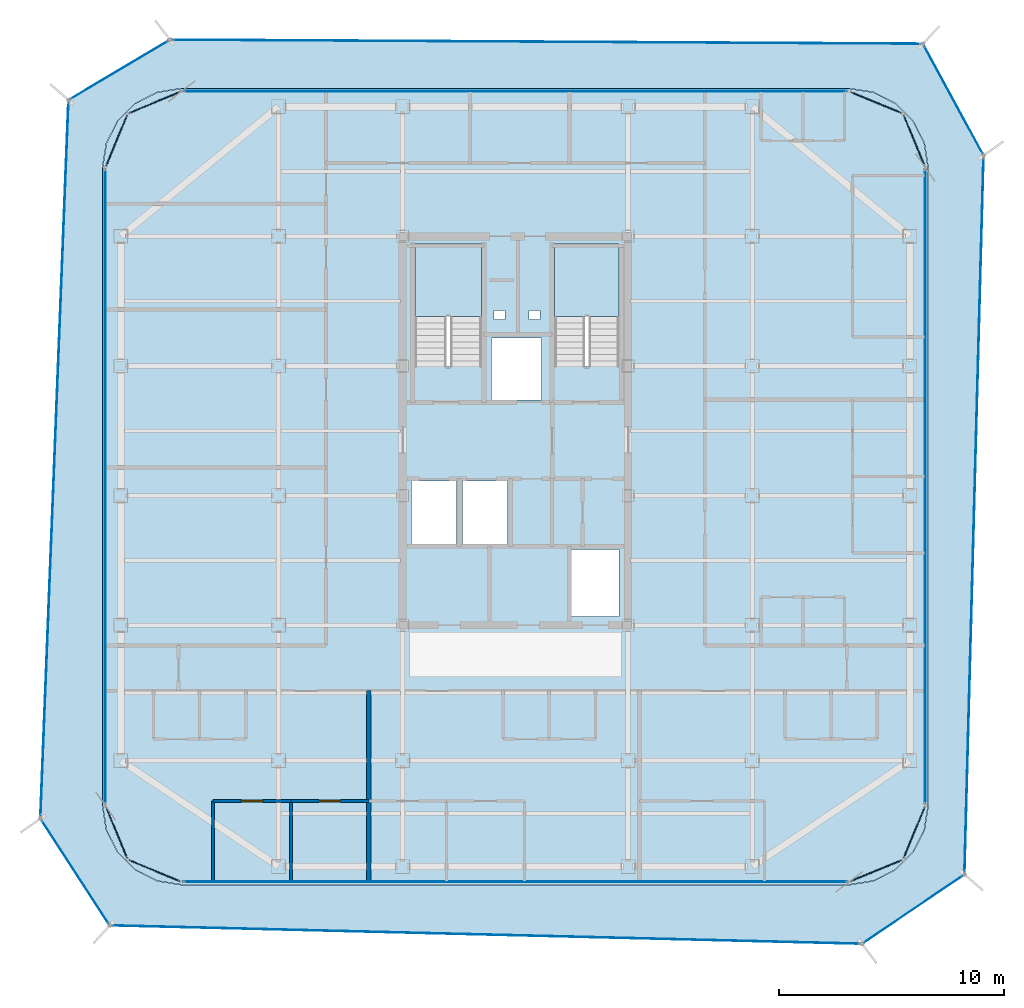
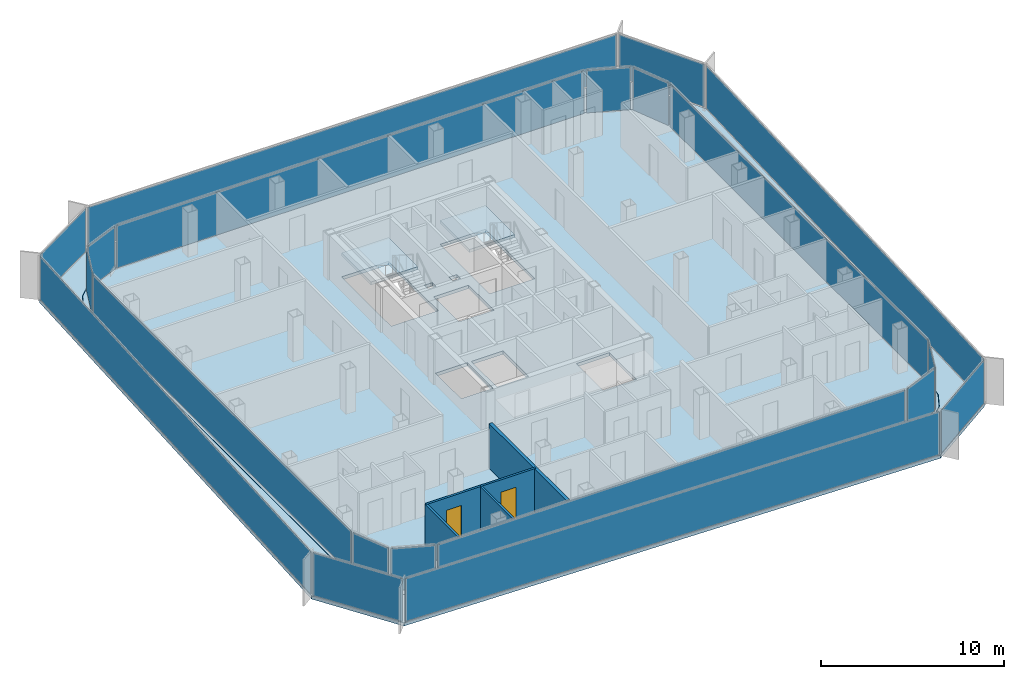
# One storey, part 9 of 15: 20 plates, 5 walls, 4 slabs, 2 doors, 2 openings, 22 elements without a shape of their own.
"""IFC4 building model written with IfcOpenShell, lengths in metres."""

from ifc_helpers import new_model, si_unit, direction, frame, frame_2d, origin, origin_2d, place, context, subcontext, project, spatial, polyline, rectangle, outline, extrude, source, transform, mapped, material, layer, layer_set, type_object, element, fill, aggregate, save


model = new_model("IFC4")

# Units and contexts
model_context = context("Model", 3, precision=1e-05, world=origin(), true_north=direction((0.0, 1.0)))
body_context = subcontext(model_context, "Body", "Model", "MODEL_VIEW")
ifc_project = project(units=[si_unit("LENGTHUNIT", "METRE"), si_unit("AREAUNIT", "SQUARE_METRE"), si_unit("VOLUMEUNIT", "CUBIC_METRE"), si_unit("PLANEANGLEUNIT", "RADIAN"), si_unit("MASSUNIT", "GRAM", prefix="KILO")], contexts=[model_context])

# Site, building, storey
site_placement = place(None, origin())
site = spatial("IfcSite", under=ifc_project, at=site_placement, CompositionType="ELEMENT")
building_placement = place(site_placement, origin())
building = spatial("IfcBuilding", under=site, at=building_placement, Name="Kolveth Station Tower", CompositionType="ELEMENT")
storey_placement = place(building_placement, frame((0.0, 0.0, 252.10009765625)))
storey = spatial("IfcBuildingStorey", under=building, at=storey_placement, Name="L72", CompositionType="ELEMENT", Elevation=252.10009765625)

# Slab
ifc_material_1 = material(Name="Concrete C40/50", Category="concrete")
ifc_layer_1 = layer(ifc_material_1, 0.219970703125)
ifc_layer_set_1 = layer_set([ifc_layer_1], Name="Concrete C40/50")
slab_type_1 = type_object("IfcSlabType", Name="Slab_SF-220", PredefinedType="FLOOR", material=ifc_layer_set_1)
slab_1_placement = place(storey_placement, frame((0.0, 0.0, -0.22021484375)))
element("IfcSlab", 1, at=slab_1_placement, inside=storey, type_object=slab_type_1, Name="L72 Tower Structural Floor Slab", PredefinedType="FLOOR", context=body_context, shape_type="SweptSolid", body=[
    extrude(outline(polyline([(38.300048828125, 0.0), (39.381591796875, 0.17138671875), (40.357177734375, 0.66845703125), (41.131591796875, 1.44287109375), (41.628662109375, 2.41845703125), (41.800048828125, 3.5), (41.800048828125, 31.800048828125), (41.628662109375, 32.881591796875), (41.131591796875, 33.857177734375), (40.357177734375, 34.631591796875), (39.381591796875, 35.128662109375), (38.300048828125, 35.300048828125), (8.699951171875, 35.300048828125), (7.618408203125, 35.128662109375), (6.642822265625, 34.631591796875), (5.868408203125, 33.857177734375), (5.371337890625, 32.881591796875), (5.199951171875, 31.800048828125), (5.199951171875, 3.5), (5.371337890625, 2.41845703125), (5.868408203125, 1.44287109375), (6.642822265625, 0.66845703125), (7.618408203125, 0.17138671875), (8.699951171875, 0.0), (38.300048828125, 0.0)]), holes=[polyline([(19.0400390625, 22.985107421875), (22.0, 22.985107421875), (22.0, 28.39990234375), (19.0400390625, 28.39990234375), (19.0400390625, 22.985107421875)]), polyline([(25.239990234375, 22.985107421875), (28.10009765625, 22.985107421875), (28.10009765625, 28.39990234375), (25.239990234375, 28.39990234375), (25.239990234375, 22.985107421875)]), polyline([(18.89990234375, 15.10009765625), (20.89990234375, 15.10009765625), (20.89990234375, 17.89990234375), (18.89990234375, 17.89990234375), (18.89990234375, 15.10009765625)]), polyline([(21.14990234375, 15.10009765625), (23.14990234375, 15.10009765625), (23.14990234375, 17.89990234375), (21.14990234375, 17.89990234375), (21.14990234375, 15.10009765625)]), polyline([(22.449951171875, 21.5), (24.64990234375, 21.5), (24.64990234375, 24.25), (22.449951171875, 24.25), (22.449951171875, 21.5)]), polyline([(26.0, 11.89990234375), (28.10009765625, 11.89990234375), (28.10009765625, 14.85009765625), (26.0, 14.85009765625), (26.0, 11.89990234375)]), polyline([(22.550048828125, 25.050048828125), (23.050048828125, 25.050048828125), (23.050048828125, 25.449951171875), (22.550048828125, 25.449951171875), (22.550048828125, 25.050048828125)]), polyline([(24.10009765625, 25.050048828125), (24.60009765625, 25.050048828125), (24.60009765625, 25.449951171875), (24.10009765625, 25.449951171875), (24.10009765625, 25.050048828125)])]), origin(), (0.0, 0.0, 1.0), 0.22021484375),
])

# Stair, slab
stair_type_1 = type_object("IfcStairType", Name="Stair_ST2", PredefinedType="HALF_TURN_STAIR", material=ifc_material_1)
stair_1_placement = place(storey_placement, origin())
stair_1 = element("IfcStair", 2, at=stair_1_placement, inside=storey, type_object=stair_type_1, Name="L72 Tower Exit Stair ST2", PredefinedType="HALF_TURN_STAIR")
ifc_layer_2 = layer(ifc_material_1, 0.18994140625)
ifc_layer_set_2 = layer_set([ifc_layer_2], Name="Concrete C40/50")
slab_type_2 = type_object("IfcSlabType", Name="Slab_SL-190", PredefinedType="LANDING", material=ifc_layer_set_2)
slab_2_placement = place(storey_placement, frame((0.0, 0.0, 1.39990234375)))
slab_2 = element("IfcSlab", 3, at=slab_2_placement, type_object=slab_type_2, Name="ST2 landing 1", PredefinedType="LANDING", context=body_context, shape_type="SweptSolid", body=[
    extrude(outline(polyline([(28.10009765625, 25.18994140625), (28.10009765625, 28.39990234375), (25.239990234375, 28.39990234375), (25.239990234375, 25.18994140625), (28.10009765625, 25.18994140625)])), origin(), (0.0, 0.0, 1.0), 0.199951171875),
])
aggregate(stair_1, [slab_2])

stair_type_2 = type_object("IfcStairType", Name="Stair_ST1", PredefinedType="HALF_TURN_STAIR", material=ifc_material_1)
stair_2_placement = place(storey_placement, origin())
stair_2 = element("IfcStair", 4, at=stair_2_placement, inside=storey, type_object=stair_type_2, Name="L72 Tower Exit Stair ST1", PredefinedType="HALF_TURN_STAIR")
ifc_layer_3 = layer(ifc_material_1, 0.205078125)
ifc_layer_set_3 = layer_set([ifc_layer_3], Name="Concrete C40/50")
slab_type_3 = type_object("IfcSlabType", Name="Slab_SL-205", PredefinedType="LANDING", material=ifc_layer_set_3)
slab_3_placement = place(storey_placement, frame((0.0, 0.0, 1.39990234375)))
slab_3 = element("IfcSlab", 5, at=slab_3_placement, type_object=slab_type_3, Name="ST1 landing 1", PredefinedType="LANDING", context=body_context, shape_type="SweptSolid", body=[
    extrude(outline(polyline([(22.0, 25.18994140625), (22.0, 28.39990234375), (19.0400390625, 28.39990234375), (19.0400390625, 25.18994140625), (22.0, 25.18994140625)])), origin(), (0.0, 0.0, 1.0), 0.199951171875),
])
aggregate(stair_2, [slab_3])

# Slab
ifc_layer_4 = layer(ifc_material_1, 0.2099609375)
ifc_layer_set_4 = layer_set([ifc_layer_4], Name="Concrete C40/50")
slab_type_4 = type_object("IfcSlabType", Name="Slab_ST-210", PredefinedType="FLOOR", material=ifc_layer_set_4)
slab_4_placement = place(storey_placement, frame((0.0, 0.0, -0.210205078125)))
element("IfcSlab", 6, at=slab_4_placement, inside=storey, type_object=slab_type_4, Name="L72 Double-Skin Cavity Structural Ledger Ring", PredefinedType="FLOOR", context=body_context, shape_type="SweptSolid", body=[
    extrude(outline(polyline([(5.518310546875, -1.8125), (2.438720703125, 2.92724609375), (3.68701171875, 34.792236328125), (8.186767578125, 37.46484375), (41.58056640625, 37.28515625), (44.2666015625, 32.336181640625), (43.419189453125, 0.447021484375), (38.87060546875, -2.628662109375), (5.518310546875, -1.8125)]), holes=[polyline([(38.30224609375, -0.014892578125), (39.3837890625, 0.156494140625), (39.388427734375, 0.157958984375), (40.364013671875, 0.655029296875), (40.367919921875, 0.65771484375), (41.14208984375, 1.43212890625), (41.14501953125, 1.43603515625), (41.64208984375, 2.41162109375), (41.6435546875, 2.416015625), (41.814697265625, 3.497802734375), (41.81494140625, 3.5), (41.81494140625, 31.800048828125), (41.814697265625, 31.80224609375), (41.6435546875, 32.8837890625), (41.64208984375, 32.888427734375), (41.14501953125, 33.864013671875), (41.14208984375, 33.867919921875), (40.367919921875, 34.64208984375), (40.364013671875, 34.64501953125), (39.388427734375, 35.14208984375), (39.3837890625, 35.1435546875), (38.30224609375, 35.314697265625), (38.300048828125, 35.31494140625), (8.699951171875, 35.31494140625), (8.69775390625, 35.314697265625), (7.6162109375, 35.1435546875), (7.611572265625, 35.14208984375), (6.635986328125, 34.64501953125), (6.632080078125, 34.64208984375), (5.85791015625, 33.867919921875), (5.85498046875, 33.864013671875), (5.35791015625, 32.888427734375), (5.3564453125, 32.8837890625), (5.185302734375, 31.80224609375), (5.18505859375, 31.800048828125), (5.18505859375, 3.5), (5.185302734375, 3.497802734375), (5.3564453125, 2.416015625), (5.35791015625, 2.41162109375), (5.85498046875, 1.43603515625), (5.85791015625, 1.43212890625), (6.632080078125, 0.65771484375), (6.635986328125, 0.655029296875), (7.611572265625, 0.157958984375), (7.6162109375, 0.156494140625), (8.69775390625, -0.014892578125), (8.699951171875, -0.014892578125), (38.300048828125, -0.014892578125), (38.30224609375, -0.014892578125)])]), origin(), (0.0, 0.0, 1.0), 0.210205078125),
])

# Curtain wall, plate
ifc_material_2 = material(Name="Aluminium 6063-T6 and triple low-E dark glass", Category="aluminium")
ifc_layer_5 = layer(ifc_material_2, 0.199951171875)
ifc_layer_set_5 = layer_set([ifc_layer_5], Name="Aluminium 6063-T6 and triple low-E dark glass")
curtain_wall_type_1 = type_object("IfcCurtainWallType", Name="CurtainWall_CW-Z3", PredefinedType="NOTDEFINED", material=ifc_layer_set_5)
curtain_wall_1_placement = place(storey_placement, origin())
curtain_wall_1 = element("IfcCurtainWall", 7, at=curtain_wall_1_placement, inside=storey, type_object=curtain_wall_type_1, Name="L72 Inner Thermal Curtain Wall 1", PredefinedType="NOTDEFINED")
ifc_material_3 = material(Name="Architectural low-E dark glass", Category="glass")
ifc_layer_6 = layer(ifc_material_3, 0.0419921875)
ifc_layer_set_6 = layer_set([ifc_layer_6], Name="Architectural low-E dark glass")
plate_type_1 = type_object("IfcPlateType", Name="Panel_GL3", PredefinedType="CURTAIN_PANEL", material=ifc_layer_set_6)
shared_shape_1 = source(origin(), body_context, "Body", "SweptSolid", [
    extrude(rectangle(XDim=2.430908203125, YDim=0.0419921875, at=origin_2d()), origin(), (0.0, 0.0, 1.0), 2.823974609375),
])
plate_1_placement = place(storey_placement, frame((39.4951171875, 0.614990234375, 0.078125), z_axis=(0.0, 0.0, 1.0), x_axis=(0.923875488975, 0.382693194181, 0.0)))
plate_1 = element("IfcPlate", 8, at=plate_1_placement, type_object=plate_type_1, Name="CW-Z3 panel 1.1", PredefinedType="CURTAIN_PANEL", context=body_context, shape_type="MappedRepresentation", body=[
    mapped(shared_shape_1, transform((0.0, 0.0, 0.0), x_axis=(1.0, 0.0, 0.0), y_axis=(0.0, 1.0, 0.0), z_axis=(0.0, 0.0, 1.0), scale=1.0)),
])
aggregate(curtain_wall_1, [plate_1])

curtain_wall_2_placement = place(storey_placement, origin())
curtain_wall_2 = element("IfcCurtainWall", 9, at=curtain_wall_2_placement, inside=storey, type_object=curtain_wall_type_1, Name="L72 Inner Thermal Curtain Wall 2", PredefinedType="NOTDEFINED")
plate_2_placement = place(storey_placement, frame((41.18505859375, 2.304931640625, 0.078125), z_axis=(0.0, 0.0, 1.0), x_axis=(0.382693194181, 0.923875488975, 0.0)))
plate_2 = element("IfcPlate", 10, at=plate_2_placement, type_object=plate_type_1, Name="CW-Z3 panel 1.1", PredefinedType="CURTAIN_PANEL", context=body_context, shape_type="MappedRepresentation", body=[
    mapped(shared_shape_1, transform((0.0, 0.0, 0.0), x_axis=(1.0, 0.0, 0.0), y_axis=(0.0, 1.0, 0.0), z_axis=(0.0, 0.0, 1.0), scale=1.0)),
])
aggregate(curtain_wall_2, [plate_2])

curtain_wall_3_placement = place(storey_placement, origin())
curtain_wall_3 = element("IfcCurtainWall", 11, at=curtain_wall_3_placement, inside=storey, type_object=curtain_wall_type_1, Name="L72 Inner Thermal Curtain Wall 4", PredefinedType="NOTDEFINED")
plate_3_placement = place(storey_placement, frame((41.18505859375, 32.9951171875, 0.078125), z_axis=(0.0, 0.0, 1.0), x_axis=(-0.382693194181, 0.923875488975, 0.0)))
plate_3 = element("IfcPlate", 12, at=plate_3_placement, type_object=plate_type_1, Name="CW-Z3 panel 1.1", PredefinedType="CURTAIN_PANEL", context=body_context, shape_type="MappedRepresentation", body=[
    mapped(shared_shape_1, transform((0.0, 0.0, 0.0), x_axis=(1.0, 0.0, 0.0), y_axis=(0.0, 1.0, 0.0), z_axis=(0.0, 0.0, 1.0), scale=1.0)),
])
aggregate(curtain_wall_3, [plate_3])

curtain_wall_4_placement = place(storey_placement, origin())
curtain_wall_4 = element("IfcCurtainWall", 13, at=curtain_wall_4_placement, inside=storey, type_object=curtain_wall_type_1, Name="L72 Inner Thermal Curtain Wall 5", PredefinedType="NOTDEFINED")
plate_4_placement = place(storey_placement, frame((39.4951171875, 34.68505859375, 0.078125), z_axis=(0.0, 0.0, 1.0), x_axis=(-0.923875488975, 0.382693194181, 0.0)))
plate_4 = element("IfcPlate", 14, at=plate_4_placement, type_object=plate_type_1, Name="CW-Z3 panel 1.1", PredefinedType="CURTAIN_PANEL", context=body_context, shape_type="MappedRepresentation", body=[
    mapped(shared_shape_1, transform((0.0, 0.0, 0.0), x_axis=(1.0, 0.0, 0.0), y_axis=(0.0, 1.0, 0.0), z_axis=(0.0, 0.0, 1.0), scale=1.0)),
])
aggregate(curtain_wall_4, [plate_4])

curtain_wall_5_placement = place(storey_placement, origin())
curtain_wall_5 = element("IfcCurtainWall", 15, at=curtain_wall_5_placement, inside=storey, type_object=curtain_wall_type_1, Name="L72 Inner Thermal Curtain Wall 7", PredefinedType="NOTDEFINED")
plate_5_placement = place(storey_placement, frame((7.5048828125, 34.68505859375, 0.078125), z_axis=(0.0, 0.0, 1.0), x_axis=(-0.923875488975, -0.382693194181, 0.0)))
plate_5 = element("IfcPlate", 16, at=plate_5_placement, type_object=plate_type_1, Name="CW-Z3 panel 1.1", PredefinedType="CURTAIN_PANEL", context=body_context, shape_type="MappedRepresentation", body=[
    mapped(shared_shape_1, transform((0.0, 0.0, 0.0), x_axis=(1.0, 0.0, 0.0), y_axis=(0.0, 1.0, 0.0), z_axis=(0.0, 0.0, 1.0), scale=1.0)),
])
aggregate(curtain_wall_5, [plate_5])

curtain_wall_6_placement = place(storey_placement, origin())
curtain_wall_6 = element("IfcCurtainWall", 17, at=curtain_wall_6_placement, inside=storey, type_object=curtain_wall_type_1, Name="L72 Inner Thermal Curtain Wall 8", PredefinedType="NOTDEFINED")
plate_6_placement = place(storey_placement, frame((5.81494140625, 32.9951171875, 0.078125), z_axis=(0.0, 0.0, 1.0), x_axis=(-0.382693194181, -0.923875488975, 0.0)))
plate_6 = element("IfcPlate", 18, at=plate_6_placement, type_object=plate_type_1, Name="CW-Z3 panel 1.1", PredefinedType="CURTAIN_PANEL", context=body_context, shape_type="MappedRepresentation", body=[
    mapped(shared_shape_1, transform((0.0, 0.0, 0.0), x_axis=(1.0, 0.0, 0.0), y_axis=(0.0, 1.0, 0.0), z_axis=(0.0, 0.0, 1.0), scale=1.0)),
])
aggregate(curtain_wall_6, [plate_6])

curtain_wall_7_placement = place(storey_placement, origin())
curtain_wall_7 = element("IfcCurtainWall", 19, at=curtain_wall_7_placement, inside=storey, type_object=curtain_wall_type_1, Name="L72 Inner Thermal Curtain Wall 10", PredefinedType="NOTDEFINED")
plate_7_placement = place(storey_placement, frame((5.81494140625, 2.304931640625, 0.078125), z_axis=(0.0, 0.0, 1.0), x_axis=(0.382693194181, -0.923875488975, 0.0)))
plate_7 = element("IfcPlate", 20, at=plate_7_placement, type_object=plate_type_1, Name="CW-Z3 panel 1.1", PredefinedType="CURTAIN_PANEL", context=body_context, shape_type="MappedRepresentation", body=[
    mapped(shared_shape_1, transform((0.0, 0.0, 0.0), x_axis=(1.0, 0.0, 0.0), y_axis=(0.0, 1.0, 0.0), z_axis=(0.0, 0.0, 1.0), scale=1.0)),
])
aggregate(curtain_wall_7, [plate_7])

curtain_wall_8_placement = place(storey_placement, origin())
curtain_wall_8 = element("IfcCurtainWall", 21, at=curtain_wall_8_placement, inside=storey, type_object=curtain_wall_type_1, Name="L72 Inner Thermal Curtain Wall 11", PredefinedType="NOTDEFINED")
plate_8_placement = place(storey_placement, frame((7.5048828125, 0.614990234375, 0.078125), z_axis=(0.0, 0.0, 1.0), x_axis=(0.923875488975, -0.382693194181, 0.0)))
plate_8 = element("IfcPlate", 22, at=plate_8_placement, type_object=plate_type_1, Name="CW-Z3 panel 1.1", PredefinedType="CURTAIN_PANEL", context=body_context, shape_type="MappedRepresentation", body=[
    mapped(shared_shape_1, transform((0.0, 0.0, 0.0), x_axis=(1.0, 0.0, 0.0), y_axis=(0.0, 1.0, 0.0), z_axis=(0.0, 0.0, 1.0), scale=1.0)),
])
aggregate(curtain_wall_8, [plate_8])

curtain_wall_9_placement = place(storey_placement, origin())
curtain_wall_9 = element("IfcCurtainWall", 23, at=curtain_wall_9_placement, inside=storey, type_object=curtain_wall_type_1, Name="L72 Inner Thermal Curtain Wall 3", PredefinedType="NOTDEFINED")
shared_shape_2 = source(origin(), body_context, "Body", "SweptSolid", [
    extrude(rectangle(XDim=28.14404296875, YDim=0.0419921875, at=origin_2d()), origin(), (0.0, 0.0, 1.0), 2.823974609375),
])
plate_9_placement = place(storey_placement, frame((41.679931640625, 17.64990234375, 0.078125), z_axis=(0.0, 0.0, 1.0), x_axis=(0.0, 1.0, 0.0)))
plate_9 = element("IfcPlate", 24, at=plate_9_placement, type_object=plate_type_1, Name="CW-Z3 panel 1.1", PredefinedType="CURTAIN_PANEL", context=body_context, shape_type="MappedRepresentation", body=[
    mapped(shared_shape_2, transform((0.0, 0.0, 0.0), x_axis=(1.0, 0.0, 0.0), y_axis=(0.0, 1.0, 0.0), z_axis=(0.0, 0.0, 1.0), scale=1.0)),
])
aggregate(curtain_wall_9, [plate_9])

curtain_wall_10_placement = place(storey_placement, origin())
curtain_wall_10 = element("IfcCurtainWall", 25, at=curtain_wall_10_placement, inside=storey, type_object=curtain_wall_type_1, Name="L72 Inner Thermal Curtain Wall 9", PredefinedType="NOTDEFINED")
plate_10_placement = place(storey_placement, frame((5.320068359375, 17.64990234375, 0.078125), z_axis=(0.0, 0.0, 1.0), x_axis=(0.0, -1.0, 0.0)))
plate_10 = element("IfcPlate", 26, at=plate_10_placement, type_object=plate_type_1, Name="CW-Z3 panel 1.1", PredefinedType="CURTAIN_PANEL", context=body_context, shape_type="MappedRepresentation", body=[
    mapped(shared_shape_2, transform((0.0, 0.0, 0.0), x_axis=(1.0, 0.0, 0.0), y_axis=(0.0, 1.0, 0.0), z_axis=(0.0, 0.0, 1.0), scale=1.0)),
])
aggregate(curtain_wall_10, [plate_10])

curtain_wall_11_placement = place(storey_placement, origin())
curtain_wall_11 = element("IfcCurtainWall", 27, at=curtain_wall_11_placement, inside=storey, type_object=curtain_wall_type_1, Name="L72 Inner Thermal Curtain Wall 6", PredefinedType="NOTDEFINED")
shared_shape_3 = source(origin(), body_context, "Body", "SweptSolid", [
    extrude(rectangle(XDim=29.444091796875, YDim=0.0419921875, at=origin_2d()), origin(), (0.0, 0.0, 1.0), 2.823974609375),
])
plate_11_placement = place(storey_placement, frame((23.5, 35.179931640625, 0.078125), z_axis=(0.0, 0.0, 1.0), x_axis=(-1.0, 0.0, 0.0)))
plate_11 = element("IfcPlate", 28, at=plate_11_placement, type_object=plate_type_1, Name="CW-Z3 panel 1.1", PredefinedType="CURTAIN_PANEL", context=body_context, shape_type="MappedRepresentation", body=[
    mapped(shared_shape_3, transform((0.0, 0.0, 0.0), x_axis=(1.0, 0.0, 0.0), y_axis=(0.0, 1.0, 0.0), z_axis=(0.0, 0.0, 1.0), scale=1.0)),
])
aggregate(curtain_wall_11, [plate_11])

curtain_wall_12_placement = place(storey_placement, origin())
curtain_wall_12 = element("IfcCurtainWall", 29, at=curtain_wall_12_placement, inside=storey, type_object=curtain_wall_type_1, Name="L72 Inner Thermal Curtain Wall 12", PredefinedType="NOTDEFINED")
plate_12_placement = place(storey_placement, frame((23.5, 0.1201171875, 0.078125), z_axis=(0.0, 0.0, 1.0), x_axis=(1.0, 0.0, 0.0)))
plate_12 = element("IfcPlate", 30, at=plate_12_placement, type_object=plate_type_1, Name="CW-Z3 panel 1.1", PredefinedType="CURTAIN_PANEL", context=body_context, shape_type="MappedRepresentation", body=[
    mapped(shared_shape_3, transform((0.0, 0.0, 0.0), x_axis=(1.0, 0.0, 0.0), y_axis=(0.0, 1.0, 0.0), z_axis=(0.0, 0.0, 1.0), scale=1.0)),
])
aggregate(curtain_wall_12, [plate_12])

ifc_material_4 = material(Name="Black anodized aluminium 6063-T6 and dark solar glass", Category="aluminium")
ifc_layer_7 = layer(ifc_material_4, 0.159912109375)
ifc_layer_set_7 = layer_set([ifc_layer_7], Name="Black anodized aluminium 6063-T6 and dark solar glass")
curtain_wall_type_2 = type_object("IfcCurtainWallType", Name="OUTER SKIN CW-OS", PredefinedType="NOTDEFINED", material=ifc_layer_set_7)
curtain_wall_13_placement = place(storey_placement, origin())
curtain_wall_13 = element("IfcCurtainWall", 31, at=curtain_wall_13_placement, inside=storey, type_object=curtain_wall_type_2, Name="L72 Outer Ventilated Skin Curtain Wall 1", PredefinedType="NOTDEFINED")
ifc_layer_8 = layer(ifc_material_3, 0.028076171875)
ifc_layer_set_8 = layer_set([ifc_layer_8], Name="Architectural low-E dark glass")
plate_type_2 = type_object("IfcPlateType", Name="Panel_GL-OS", PredefinedType="CURTAIN_PANEL", material=ifc_layer_set_8)
shared_shape_4 = source(origin(), body_context, "Body", "SweptSolid", [
    extrude(rectangle(XDim=5.32470703125, YDim=0.028076171875, at=origin_2d()), origin(), (0.0, 0.0, 1.0), 2.843994140625),
])
plate_13_placement = place(storey_placement, frame((41.14501953125, -1.0908203125, 0.07275390625), z_axis=(0.0, 0.0, 1.0), x_axis=(0.828415392999, 0.560114217497, 0.0)))
plate_13 = element("IfcPlate", 32, at=plate_13_placement, type_object=plate_type_2, Name="CW-OS panel 1.1", PredefinedType="CURTAIN_PANEL", context=body_context, shape_type="MappedRepresentation", body=[
    mapped(shared_shape_4, transform((0.0, 0.0, 0.0), x_axis=(1.0, 0.0, 0.0), y_axis=(0.0, 1.0, 0.0), z_axis=(0.0, 0.0, 1.0), scale=1.0)),
])
aggregate(curtain_wall_13, [plate_13])

curtain_wall_14_placement = place(storey_placement, origin())
curtain_wall_14 = element("IfcCurtainWall", 33, at=curtain_wall_14_placement, inside=storey, type_object=curtain_wall_type_2, Name="L72 Outer Ventilated Skin Curtain Wall 2", PredefinedType="NOTDEFINED")
shared_shape_5 = source(origin(), body_context, "Body", "SweptSolid", [
    extrude(rectangle(XDim=31.734619140625, YDim=0.028076171875, at=origin_2d()), origin(), (0.0, 0.0, 1.0), 2.843994140625),
])
plate_14_placement = place(storey_placement, frame((43.843017578125, 16.3916015625, 0.07275390625), z_axis=(0.0, 0.0, 1.0), x_axis=(0.026560666911, 0.999647203254, 0.0)))
plate_14 = element("IfcPlate", 34, at=plate_14_placement, type_object=plate_type_2, Name="CW-OS panel 1.1", PredefinedType="CURTAIN_PANEL", context=body_context, shape_type="MappedRepresentation", body=[
    mapped(shared_shape_5, transform((0.0, 0.0, 0.0), x_axis=(1.0, 0.0, 0.0), y_axis=(0.0, 1.0, 0.0), z_axis=(0.0, 0.0, 1.0), scale=1.0)),
])
aggregate(curtain_wall_14, [plate_14])

curtain_wall_15_placement = place(storey_placement, origin())
curtain_wall_15 = element("IfcCurtainWall", 35, at=curtain_wall_15_placement, inside=storey, type_object=curtain_wall_type_2, Name="L72 Outer Ventilated Skin Curtain Wall 3", PredefinedType="NOTDEFINED")
shared_shape_6 = source(origin(), body_context, "Body", "SweptSolid", [
    extrude(rectangle(XDim=5.46484375, YDim=0.028076171875, at=origin_2d()), origin(), (0.0, 0.0, 1.0), 2.843994140625),
])
plate_15_placement = place(storey_placement, frame((42.923583984375, 34.810791015625, 0.07275390625), z_axis=(0.0, 0.0, 1.0), x_axis=(-0.477009559786, 0.878898105512, 0.0)))
plate_15 = element("IfcPlate", 36, at=plate_15_placement, type_object=plate_type_2, Name="CW-OS panel 1.1", PredefinedType="CURTAIN_PANEL", context=body_context, shape_type="MappedRepresentation", body=[
    mapped(shared_shape_6, transform((0.0, 0.0, 0.0), x_axis=(1.0, 0.0, 0.0), y_axis=(0.0, 1.0, 0.0), z_axis=(0.0, 0.0, 1.0), scale=1.0)),
])
aggregate(curtain_wall_15, [plate_15])

curtain_wall_16_placement = place(storey_placement, origin())
curtain_wall_16 = element("IfcCurtainWall", 37, at=curtain_wall_16_placement, inside=storey, type_object=curtain_wall_type_2, Name="L72 Outer Ventilated Skin Curtain Wall 4", PredefinedType="NOTDEFINED")
shared_shape_7 = source(origin(), body_context, "Body", "SweptSolid", [
    extrude(rectangle(XDim=33.228515625, YDim=0.028076171875, at=origin_2d()), origin(), (0.0, 0.0, 1.0), 2.843994140625),
])
plate_16_placement = place(storey_placement, frame((24.883544921875, 37.375, 0.07275390625), z_axis=(0.0, 0.0, 1.0), x_axis=(-0.999985521538, 0.005381144399, 0.0)))
plate_16 = element("IfcPlate", 38, at=plate_16_placement, type_object=plate_type_2, Name="CW-OS panel 1.1", PredefinedType="CURTAIN_PANEL", context=body_context, shape_type="MappedRepresentation", body=[
    mapped(shared_shape_7, transform((0.0, 0.0, 0.0), x_axis=(1.0, 0.0, 0.0), y_axis=(0.0, 1.0, 0.0), z_axis=(0.0, 0.0, 1.0), scale=1.0)),
])
aggregate(curtain_wall_16, [plate_16])

curtain_wall_17_placement = place(storey_placement, origin())
curtain_wall_17 = element("IfcCurtainWall", 39, at=curtain_wall_17_placement, inside=storey, type_object=curtain_wall_type_2, Name="L72 Outer Ventilated Skin Curtain Wall 5", PredefinedType="NOTDEFINED")
shared_shape_8 = source(origin(), body_context, "Body", "SweptSolid", [
    extrude(rectangle(XDim=5.067626953125, YDim=0.028076171875, at=origin_2d()), origin(), (0.0, 0.0, 1.0), 2.843994140625),
])
plate_17_placement = place(storey_placement, frame((5.936767578125, 36.128662109375, 0.07275390625), z_axis=(0.0, 0.0, 1.0), x_axis=(-0.859775574074, -0.510672069165, 0.0)))
plate_17 = element("IfcPlate", 40, at=plate_17_placement, type_object=plate_type_2, Name="CW-OS panel 1.1", PredefinedType="CURTAIN_PANEL", context=body_context, shape_type="MappedRepresentation", body=[
    mapped(shared_shape_8, transform((0.0, 0.0, 0.0), x_axis=(1.0, 0.0, 0.0), y_axis=(0.0, 1.0, 0.0), z_axis=(0.0, 0.0, 1.0), scale=1.0)),
])
aggregate(curtain_wall_17, [plate_17])

curtain_wall_18_placement = place(storey_placement, origin())
curtain_wall_18 = element("IfcCurtainWall", 41, at=curtain_wall_18_placement, inside=storey, type_object=curtain_wall_type_2, Name="L72 Outer Ventilated Skin Curtain Wall 6", PredefinedType="NOTDEFINED")
shared_shape_9 = source(origin(), body_context, "Body", "SweptSolid", [
    extrude(rectangle(XDim=31.723388671875, YDim=0.028076171875, at=origin_2d()), origin(), (0.0, 0.0, 1.0), 2.843994140625),
])
plate_18_placement = place(storey_placement, frame((3.062744140625, 18.859619140625, 0.07275390625), z_axis=(0.0, 0.0, 1.0), x_axis=(-0.039144617843, -0.999233555729, 0.0)))
plate_18 = element("IfcPlate", 42, at=plate_18_placement, type_object=plate_type_2, Name="CW-OS panel 1.1", PredefinedType="CURTAIN_PANEL", context=body_context, shape_type="MappedRepresentation", body=[
    mapped(shared_shape_9, transform((0.0, 0.0, 0.0), x_axis=(1.0, 0.0, 0.0), y_axis=(0.0, 1.0, 0.0), z_axis=(0.0, 0.0, 1.0), scale=1.0)),
])
aggregate(curtain_wall_18, [plate_18])

curtain_wall_19_placement = place(storey_placement, origin())
curtain_wall_19 = element("IfcCurtainWall", 43, at=curtain_wall_19_placement, inside=storey, type_object=curtain_wall_type_2, Name="L72 Outer Ventilated Skin Curtain Wall 7", PredefinedType="NOTDEFINED")
shared_shape_10 = source(origin(), body_context, "Body", "SweptSolid", [
    extrude(rectangle(XDim=5.486328125, YDim=0.028076171875, at=origin_2d()), origin(), (0.0, 0.0, 1.0), 2.843994140625),
])
plate_19_placement = place(storey_placement, frame((3.978515625, 0.557373046875, 0.07275390625), z_axis=(0.0, 0.0, 1.0), x_axis=(0.544850913988, -0.838532934074, 0.0)))
plate_19 = element("IfcPlate", 44, at=plate_19_placement, type_object=plate_type_2, Name="CW-OS panel 1.1", PredefinedType="CURTAIN_PANEL", context=body_context, shape_type="MappedRepresentation", body=[
    mapped(shared_shape_10, transform((0.0, 0.0, 0.0), x_axis=(1.0, 0.0, 0.0), y_axis=(0.0, 1.0, 0.0), z_axis=(0.0, 0.0, 1.0), scale=1.0)),
])
aggregate(curtain_wall_19, [plate_19])

curtain_wall_20_placement = place(storey_placement, origin())
curtain_wall_20 = element("IfcCurtainWall", 45, at=curtain_wall_20_placement, inside=storey, type_object=curtain_wall_type_2, Name="L72 Outer Ventilated Skin Curtain Wall 8", PredefinedType="NOTDEFINED")
shared_shape_11 = source(origin(), body_context, "Body", "SweptSolid", [
    extrude(rectangle(XDim=33.1962890625, YDim=0.028076171875, at=origin_2d()), origin(), (0.0, 0.0, 1.0), 2.843994140625),
])
plate_20_placement = place(storey_placement, frame((22.1943359375, -2.220458984375, 0.07275390625), z_axis=(0.0, 0.0, 1.0), x_axis=(0.999700766498, -0.024461755119, 0.0)))
plate_20 = element("IfcPlate", 46, at=plate_20_placement, type_object=plate_type_2, Name="CW-OS panel 1.1", PredefinedType="CURTAIN_PANEL", context=body_context, shape_type="MappedRepresentation", body=[
    mapped(shared_shape_11, transform((0.0, 0.0, 0.0), x_axis=(1.0, 0.0, 0.0), y_axis=(0.0, 1.0, 0.0), z_axis=(0.0, 0.0, 1.0), scale=1.0)),
])
aggregate(curtain_wall_20, [plate_20])

# Wall
ifc_material_5 = material(Name="Moisture-resistant gypsum partition")
ifc_layer_9 = layer(ifc_material_5, 0.135009765625)
ifc_layer_set_9 = layer_set([ifc_layer_9], Name="Moisture-resistant gypsum partition")
wall_type_1 = type_object("IfcWallType", Name="Wall_IW-135", PredefinedType="PARTITIONING", material=ifc_layer_set_9)
wall_1_placement = place(storey_placement, frame((10.10009765625, 0.159912109375, 0.0), z_axis=(0.0, 0.0, 1.0), x_axis=(0.0, 1.0, 0.0)))
element("IfcWall", 47, at=wall_1_placement, inside=storey, type_object=wall_type_1, Name="L72 Partition Wall WL-L72-A1-BDV0", PredefinedType="PARTITIONING", context=body_context, shape_type="SweptSolid", body=[
    extrude(rectangle(XDim=3.550048828125, YDim=0.135009765625, at=frame_2d((1.77490234375, 0.0))), origin(), (0.0, 0.0, 1.0), 2.97998046875),
])

# Wall, opening, door
wall_2_placement = place(storey_placement, frame((10.10009765625, 3.7099609375, 0.0), z_axis=(0.0, 0.0, 1.0), x_axis=(1.0, 0.0, 0.0)))
wall_2 = element("IfcWall", 48, at=wall_2_placement, inside=storey, type_object=wall_type_1, Name="L72 Partition Wall WL-L72-A1-BDH1", PredefinedType="PARTITIONING", context=body_context, shape_type="SweptSolid", body=[
    extrude(rectangle(XDim=3.449951171875, YDim=0.135009765625, at=frame_2d((1.72509765625, 0.0))), origin(), (0.0, 0.0, 1.0), 2.97998046875),
])
opening_1_placement = place(wall_2_placement, frame((1.2451171875, 0.0, 0.0)))
opening_1 = element("IfcOpeningElement", 49, at=opening_1_placement, cuts=wall_2, Name="Opening ID1", PredefinedType="OPENING", context=body_context, shape_type="SweptSolid", body=[
    extrude(rectangle(XDim=0.949951171875, YDim=2.14990234375, at=frame_2d((0.47509765625, 1.074951171875))), frame((0.0, 0.077392578125, 0.0), z_axis=(0.0, -1.0, 0.0), x_axis=(1.0, 0.0, 0.0)), (0.0, 0.0, 1.0), 0.155029296875),
])
ifc_material_6 = material(Name="Acoustic hardwood leaf and aluminium frame", Category="wood")
door_type = type_object("IfcDoorType", Name="Door_ID1", OperationType="NOTDEFINED", PredefinedType="DOOR", material=ifc_material_6)
door_1_placement = place(opening_1_placement, frame((0.949951171875, 0.0, 0.0), z_axis=(0.0, 0.0, 1.0), x_axis=(-1.0, 0.0, 0.0)))
door_1 = element("IfcDoor", 50, at=door_1_placement, inside=storey, type_object=door_type, Name="Flat L72-A1 Bedroom 1 Door", OperationType="SINGLE_SWING_RIGHT", OverallHeight=2.14990234375, OverallWidth=0.949951171875, PredefinedType="DOOR", context=body_context, shape_type="SweptSolid", body=[
    extrude(rectangle(XDim=0.949951171875, YDim=2.14990234375, at=frame_2d((0.47509765625, 1.074951171875))), frame((0.0, 0.02490234375, 0.0), z_axis=(0.0, -1.0, 0.0), x_axis=(1.0, 0.0, 0.0)), (0.0, 0.0, 1.0), 0.050048828125),
])
fill(opening_1, door_1)

wall_3_placement = place(storey_placement, frame((13.550048828125, 3.7099609375, 0.0), z_axis=(0.0, 0.0, 1.0), x_axis=(1.0, 0.0, 0.0)))
wall_3 = element("IfcWall", 51, at=wall_3_placement, inside=storey, type_object=wall_type_1, Name="L72 Partition Wall WL-L72-A1-BDH2", PredefinedType="PARTITIONING", context=body_context, shape_type="SweptSolid", body=[
    extrude(rectangle(XDim=3.449951171875, YDim=0.135009765625, at=frame_2d((1.72509765625, 0.0))), origin(), (0.0, 0.0, 1.0), 2.97998046875),
])
opening_2_placement = place(wall_3_placement, frame((1.2451171875, 0.0, 0.0)))
opening_2 = element("IfcOpeningElement", 52, at=opening_2_placement, cuts=wall_3, Name="Opening ID1", PredefinedType="OPENING", context=body_context, shape_type="SweptSolid", body=[
    extrude(rectangle(XDim=0.949951171875, YDim=2.14990234375, at=frame_2d((0.47509765625, 1.074951171875))), frame((0.0, 0.077392578125, 0.0), z_axis=(0.0, -1.0, 0.0), x_axis=(1.0, 0.0, 0.0)), (0.0, 0.0, 1.0), 0.155029296875),
])
door_2_placement = place(opening_2_placement, frame((0.949951171875, 0.0, 0.0), z_axis=(0.0, 0.0, 1.0), x_axis=(-1.0, 0.0, 0.0)))
door_2 = element("IfcDoor", 53, at=door_2_placement, inside=storey, type_object=door_type, Name="Flat L72-A1 Bedroom 2 Door", OperationType="SINGLE_SWING_LEFT", OverallHeight=2.14990234375, OverallWidth=0.949951171875, PredefinedType="DOOR", context=body_context, shape_type="SweptSolid", body=[
    extrude(rectangle(XDim=0.949951171875, YDim=2.14990234375, at=frame_2d((0.47509765625, 1.074951171875))), frame((0.0, 0.02490234375, 0.0), z_axis=(0.0, -1.0, 0.0), x_axis=(1.0, 0.0, 0.0)), (0.0, 0.0, 1.0), 0.050048828125),
])
fill(opening_2, door_2)

# Walls
wall_4_placement = place(storey_placement, frame((13.550048828125, 0.159912109375, 0.0), z_axis=(0.0, 0.0, 1.0), x_axis=(0.0, 1.0, 0.0)))
element("IfcWall", 54, at=wall_4_placement, inside=storey, type_object=wall_type_1, Name="L72 Partition Wall WL-L72-A1-BDV1", PredefinedType="PARTITIONING", context=body_context, shape_type="SweptSolid", body=[
    extrude(rectangle(XDim=3.550048828125, YDim=0.135009765625, at=frame_2d((1.77490234375, 0.0))), origin(), (0.0, 0.0, 1.0), 2.97998046875),
])
ifc_material_7 = material(Name="Acoustic fire-rated gypsum blockwork", Category="masonry")
ifc_layer_10 = layer(ifc_material_7, 0.199951171875)
ifc_layer_set_10 = layer_set([ifc_layer_10], Name="Acoustic fire-rated gypsum blockwork")
wall_type_2 = type_object("IfcWallType", Name="Wall_IW-200", PredefinedType="PARTITIONING", material=ifc_layer_set_10)
wall_5_placement = place(storey_placement, frame((17.0, 0.159912109375, 0.0), z_axis=(0.0, 0.0, 1.0), x_axis=(0.0, 1.0, 0.0)))
element("IfcWall", 55, at=wall_5_placement, inside=storey, type_object=wall_type_2, Name="L72 Partition Wall WL-L72-RSU-1", PredefinedType="PARTITIONING", context=body_context, shape_type="SweptSolid", body=[
    extrude(rectangle(XDim=8.440185546875, YDim=0.199951171875, at=frame_2d((4.22021484375, 0.0))), origin(), (0.0, 0.0, 1.0), 2.97998046875),
])

save(model, "model.ifc")
